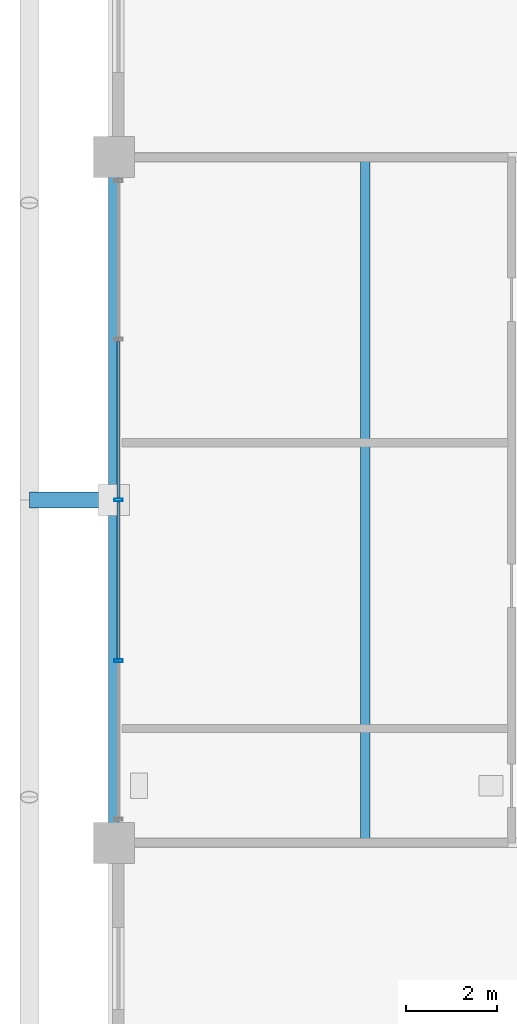
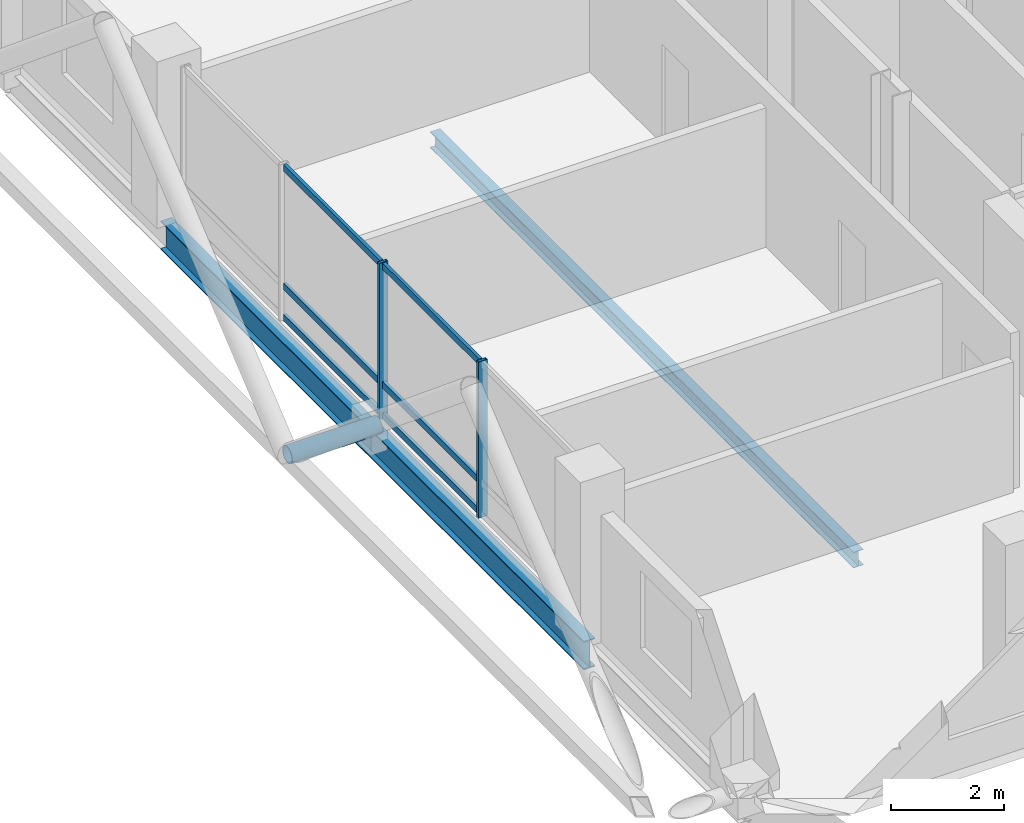
# One storey, part 8 of 24: 9 members, 2 beams, 1 element without a shape of its own.
"""IFC4 building model written with IfcOpenShell, lengths in metres."""

import ifcopenshell
import ifcopenshell.guid

model = None  # the IFC model being written
_history = None  # IfcOwnerHistory: only IFC2X3 demands one
_inside = {}  # id of a spatial element -> (the spatial element, [elements in it])
_under = {}  # id of a project, library or spatial element -> (it, [spatial elements below it])
_declared = {}  # id of a project -> (the project, [libraries it declares])
_typed = {}  # id of a type object -> (the type object, [elements of that type])
_made_of = {}  # id of a material, layer set ... -> (it, [elements and type objects made of it])


def new_model(schema):
    """Start an empty IFC model of exactly this schema.

    Asked for "IFC4X3", IfcOpenShell would pick the latest addendum, in which some entities
    have other attributes; the version numbers below select the first issue.
    IFC2X3 requires an IfcOwnerHistory on every rooted entity: one is made here for all.
    """
    global model, _history
    if schema == "IFC4X3":
        model = ifcopenshell.file(schema_version=(4, 3, 0, 0))
    else:
        model = ifcopenshell.file(schema=schema)
    _inside.clear()
    _under.clear()
    _declared.clear()
    _typed.clear()
    _made_of.clear()
    _history = None
    if model.schema == "IFC2X3":
        org = make("IfcOrganization", Name="unknown")
        user = make(
            "IfcPersonAndOrganization",
            ThePerson=make("IfcPerson", FamilyName="unknown"),
            TheOrganization=org,
        )
        app = make(
            "IfcApplication",
            ApplicationDeveloper=org,
            Version="unknown",
            ApplicationFullName="unknown",
            ApplicationIdentifier="unknown",
        )
        _history = make(
            "IfcOwnerHistory",
            OwningUser=user,
            OwningApplication=app,
            ChangeAction="ADDED",
            CreationDate=0,
        )
    return model


def make(cls, **values):
    """One entity of the class cls with the attributes given. An attribute that is None is left unset."""
    return model.create_entity(
        cls, **{name: value for name, value in values.items() if value is not None}
    )


def rooted(cls, **values):
    """An entity with a GlobalId (a new one), such as an element, a storey or a relation."""
    return make(cls, GlobalId=ifcopenshell.guid.new(), OwnerHistory=_history, **values)


def si_unit(unit_type, name, prefix=None):
    """IfcSIUnit, for example si_unit("LENGTHUNIT", "METRE", prefix="MILLI")."""
    return make("IfcSIUnit", UnitType=unit_type, Prefix=prefix, Name=name)


def assignment(units):
    """IfcUnitAssignment: the units of a project."""
    return None if units is None else make("IfcUnitAssignment", Units=units)


def point(xyz):
    """IfcCartesianPoint."""
    return None if xyz is None else make("IfcCartesianPoint", Coordinates=xyz)


def direction(xyz):
    """IfcDirection."""
    return None if xyz is None else make("IfcDirection", DirectionRatios=xyz)


def frame(location, z_axis=None, x_axis=None):
    """IfcAxis2Placement3D, a coordinate frame: its origin and axes. An axis left out is left unset."""
    return make(
        "IfcAxis2Placement3D",
        Location=point(location),
        Axis=direction(z_axis),
        RefDirection=direction(x_axis),
    )


def frame_2d(location, x_axis=None):
    """IfcAxis2Placement2D, a coordinate frame in the plane: its origin and x axis."""
    return make(
        "IfcAxis2Placement2D", Location=point(location), RefDirection=direction(x_axis)
    )


def origin():
    """The frame at (0, 0, 0) with its axes left unset."""
    return frame((0.0, 0.0, 0.0))


def origin_2d():
    """The frame at (0, 0) in the plane with its x axis left unset."""
    return frame_2d((0.0, 0.0))


def place(relative_to, where):
    """IfcLocalPlacement: puts the frame where relative to a parent placement (None: the world)."""
    return make(
        "IfcLocalPlacement", PlacementRelTo=relative_to, RelativePlacement=where
    )


def context(
    kind, dimensions, precision=None, world=None, true_north=None, identifier=None
):
    """IfcGeometricRepresentationContext, for example the 3D "Model" context."""
    return make(
        "IfcGeometricRepresentationContext",
        ContextIdentifier=identifier,
        ContextType=kind,
        CoordinateSpaceDimension=dimensions,
        Precision=precision,
        WorldCoordinateSystem=world,
        TrueNorth=true_north,
    )


def subcontext(parent, identifier, kind, view, scale=None):
    """IfcGeometricRepresentationSubContext, for example "Body" below "Model"."""
    return make(
        "IfcGeometricRepresentationSubContext",
        ContextIdentifier=identifier,
        ContextType=kind,
        ParentContext=parent,
        TargetScale=scale,
        TargetView=view,
    )


def project(units=None, contexts=None):
    """IfcProject with its units and contexts."""
    return rooted(
        "IfcProject",
        Name="project",
        RepresentationContexts=contexts,
        UnitsInContext=assignment(units),
    )


def spatial(cls, under=None, at=None, **own):
    """A site, building, storey or space (cls), placed at a placement, below another one or the project."""
    s = rooted(cls, ObjectPlacement=at, **own)
    if under is not None:
        _under.setdefault(under.id(), (under, []))[1].append(s)
    return s


def profile(cls, at=None, kind="AREA", **sizes):
    """A parametric profile (cls). Its sizes go by their IFC names, for example OverallWidth=200.0."""
    return make(cls, ProfileType=kind, Position=at, **sizes)


def hollow_rectangle(**sizes):
    """IfcRectangleHollowProfileDef."""
    return profile("IfcRectangleHollowProfileDef", **sizes)


def hollow_circle(**sizes):
    """IfcCircleHollowProfileDef."""
    return profile("IfcCircleHollowProfileDef", **sizes)


def i_section(**sizes):
    """IfcIShapeProfileDef."""
    return profile("IfcIShapeProfileDef", **sizes)


def extrude(swept, where, along, depth):
    """IfcExtrudedAreaSolid: the profile swept, set in the frame where, extruded along a direction by depth."""
    return make(
        "IfcExtrudedAreaSolid",
        SweptArea=swept,
        Position=where,
        ExtrudedDirection=direction(along),
        Depth=depth,
    )


def shape(context_of_items, identifier, shape_type, items):
    """IfcShapeRepresentation: the items that make up one representation, for example the "Body"."""
    return make(
        "IfcShapeRepresentation",
        ContextOfItems=context_of_items,
        RepresentationIdentifier=identifier,
        RepresentationType=shape_type,
        Items=items,
    )


def material(Name=None, Category=None):
    """IfcMaterial."""
    return make("IfcMaterial", Name=Name, Category=Category)


def layer(
    of_material, thickness, ventilated=None, Name=None, Category=None, Priority=None
):
    """IfcMaterialLayer: one layer of a wall or slab, of a material (None: an air gap)."""
    return make(
        "IfcMaterialLayer",
        Material=of_material,
        LayerThickness=thickness,
        IsVentilated=ventilated,
        Name=Name,
        Category=Category,
        Priority=Priority,
    )


def layer_set(layers, Name=None):
    """IfcMaterialLayerSet."""
    return make("IfcMaterialLayerSet", MaterialLayers=layers, LayerSetName=Name)


def material_profile(
    of_material, cross_section, Name=None, Category=None, Priority=None
):
    """IfcMaterialProfile: a cross section and its material."""
    return make(
        "IfcMaterialProfile",
        Name=Name,
        Material=of_material,
        Profile=cross_section,
        Priority=Priority,
        Category=Category,
    )


def profile_set(profiles, Name=None, composite=None):
    """IfcMaterialProfileSet."""
    return make(
        "IfcMaterialProfileSet",
        Name=Name,
        MaterialProfiles=profiles,
        CompositeProfile=composite,
    )


def made_of(thing, what):
    """Note that an element or type object is made of a material, layer set ...; save() writes the relation."""
    if what is not None:
        _made_of.setdefault(what.id(), (what, []))[1].append(thing)
    return thing


def type_object(cls, material=None, **own):
    """A type object (cls), such as IfcWallType, which elements share."""
    return made_of(rooted(cls, **own), material)


def element(
    cls,
    number,
    at=None,
    inside=None,
    cuts=None,
    type_object=None,
    material=None,
    context=None,
    identifier="Body",
    shape_type=None,
    held_by="IfcProductDefinitionShape",
    body=None,
    shapes=None,
    **own,
):
    """One element of the class cls, such as IfcWall. Its Tag is "e" and its number.

    at: its placement. inside: the storey or other place that contains it. cuts: it is an
    opening in that element (IfcRelVoidsElement). A single representation is given by context,
    identifier, shape_type and body (its items); several are given by shapes. held_by: the class
    of the entity that holds the representations. save() writes the other relations.
    """
    e = rooted(cls, Tag="e%d" % number, ObjectPlacement=at, **own)
    if body is not None:
        shapes = [shape(context, identifier, shape_type, body)]
    if shapes is not None:
        e.Representation = make(held_by, Representations=shapes)
    if inside is not None:
        _inside.setdefault(inside.id(), (inside, []))[1].append(e)
    if cuts is not None:
        rooted(
            "IfcRelVoidsElement", RelatingBuildingElement=cuts, RelatedOpeningElement=e
        )
    if type_object is not None:
        _typed.setdefault(type_object.id(), (type_object, []))[1].append(e)
    return made_of(e, material)


def aggregate(whole, parts):
    """IfcRelAggregates: a whole, such as a stair, and the parts it consists of."""
    return rooted("IfcRelAggregates", RelatingObject=whole, RelatedObjects=parts)


def save(model, path):
    """Write the relations noted so far, then the file.

    IfcRelAggregates (storeys below a building ...), IfcRelContainedInSpatialStructure (elements
    in a storey), IfcRelDefinesByType, IfcRelAssociatesMaterial and IfcRelDeclares: one each for
    every whole, place, type object, material and project.
    """
    for whole, parts in _under.values():
        aggregate(whole, parts)
    for where, things in _inside.values():
        rooted(
            "IfcRelContainedInSpatialStructure",
            RelatedElements=things,
            RelatingStructure=where,
        )
    for kind, things in _typed.values():
        rooted("IfcRelDefinesByType", RelatedObjects=things, RelatingType=kind)
    for what, things in _made_of.values():
        rooted("IfcRelAssociatesMaterial", RelatedObjects=things, RelatingMaterial=what)
    for by, libraries in _declared.values():
        rooted("IfcRelDeclares", RelatingContext=by, RelatedDefinitions=libraries)
    model.write(path)


model = new_model("IFC4")

# Units and contexts
model_context = context("Model", 3, precision=1e-05, world=origin(), true_north=direction((0.0, 1.0)))
body_context = subcontext(model_context, "Body", "Model", "MODEL_VIEW")
ifc_project = project(units=[si_unit("LENGTHUNIT", "METRE"), si_unit("AREAUNIT", "SQUARE_METRE"), si_unit("VOLUMEUNIT", "CUBIC_METRE"), si_unit("PLANEANGLEUNIT", "RADIAN"), si_unit("MASSUNIT", "GRAM", prefix="KILO")], contexts=[model_context])

# Site, building, storey
site_placement = place(None, origin())
site = spatial("IfcSite", under=ifc_project, at=site_placement, CompositionType="ELEMENT")
building_placement = place(site_placement, origin())
building = spatial("IfcBuilding", under=site, at=building_placement, Name="Barlavira Tower and Art Museum", CompositionType="ELEMENT")
storey_placement = place(building_placement, frame((0.0, 0.0, 283.5)))
storey = spatial("IfcBuildingStorey", under=building, at=storey_placement, Name="L74", CompositionType="ELEMENT", Elevation=283.5)

# Curtain wall, members
ifc_material_1 = material(Name="Low-iron coastal laminated glass", Category="glass")
ifc_layer = layer(ifc_material_1, 0.2099609375, Name="Low-iron coastal laminated glass")
ifc_layer_set = layer_set([ifc_layer], Name="Low-iron coastal laminated glass")
curtain_wall_type = type_object("IfcCurtainWallType", Name="Pale-Metal Unitised Curtain Wall Zone 4", PredefinedType="NOTDEFINED", material=ifc_layer_set)
curtain_wall_placement = place(storey_placement, origin())
curtain_wall = element("IfcCurtainWall", 1, at=curtain_wall_placement, inside=storey, type_object=curtain_wall_type, Name="L74 Curtain Wall CW4-L74-W-B3", PredefinedType="NOTDEFINED")
ifc_material_2 = material(Name="Pale anodised aluminium", Category="aluminium")
ifc_material_profile_1 = material_profile(ifc_material_2, hollow_rectangle(XDim=0.06494140625, YDim=0.179931640625, WallThickness=0.00390625, at=origin_2d()), Name="ALU-MULL 65x180x4")
ifc_profile_set_1 = profile_set([ifc_material_profile_1], Name="Pale anodised aluminium")
member_type_1 = type_object("IfcMemberType", Name="Curtain Wall Pale-Metal Mullion 65x180", PredefinedType="MULLION", material=ifc_profile_set_1)
member_1_placement = place(storey_placement, frame((-16.89990234375, 0.0, 0.0), z_axis=(0.0, 0.0, 1.0), x_axis=(0.0, -1.0, 0.0)))
member_1 = element("IfcMember", 2, at=member_1_placement, type_object=member_type_1, Name="CW4-L74-W-B3 Mullion 2", PredefinedType="MULLION", context=body_context, shape_type="SweptSolid", body=[
    extrude(hollow_rectangle(XDim=0.06494140625, YDim=0.179931640625, WallThickness=0.00390625, at=origin_2d()), origin(), (0.0, 0.0, 1.0), 3.3798828125),
])
member_2_placement = place(storey_placement, frame((-16.89990234375, -3.514892578125, 0.0), z_axis=(0.0, 0.0, 1.0), x_axis=(0.0, -1.0, 0.0)))
member_2 = element("IfcMember", 3, at=member_2_placement, type_object=member_type_1, Name="CW4-L74-W-B3 Mullion 3", PredefinedType="MULLION", context=body_context, shape_type="SweptSolid", body=[
    extrude(hollow_rectangle(XDim=0.06494140625, YDim=0.179931640625, WallThickness=0.00390625, at=origin_2d()), origin(), (0.0, 0.0, 1.0), 3.3798828125),
])
ifc_material_profile_2 = material_profile(ifc_material_2, hollow_rectangle(XDim=0.06494140625, YDim=0.139892578125, WallThickness=0.00390625, at=origin_2d()), Name="ALU-TRAN 65x140x4")
ifc_profile_set_2 = profile_set([ifc_material_profile_2], Name="Pale anodised aluminium")
member_type_2 = type_object("IfcMemberType", Name="Curtain Wall Pale-Metal Transom 65x140", PredefinedType="USERDEFINED", material=ifc_profile_set_2)
member_3_placement = place(storey_placement, frame((-16.89990234375, 3.469970703125, 0.070068359375), z_axis=(0.0, -1.0, 0.0), x_axis=(1.0, 0.0, 0.0)))
member_3 = element("IfcMember", 4, at=member_3_placement, type_object=member_type_2, Name="CW4-L74-W-B3 Transom 1.1", ObjectType="TRANSOM", PredefinedType="USERDEFINED", context=body_context, shape_type="SweptSolid", body=[
    extrude(hollow_rectangle(XDim=0.06494140625, YDim=0.139892578125, WallThickness=0.00390625, at=origin_2d()), origin(), (0.0, 0.0, 1.0), 3.425048828125),
])
member_4_placement = place(storey_placement, frame((-16.89990234375, 3.469970703125, 0.743896484375), z_axis=(0.0, -1.0, 0.0), x_axis=(1.0, 0.0, 0.0)))
member_4 = element("IfcMember", 5, at=member_4_placement, type_object=member_type_2, Name="CW4-L74-W-B3 Transom 1.2", ObjectType="TRANSOM", PredefinedType="USERDEFINED", context=body_context, shape_type="SweptSolid", body=[
    extrude(hollow_rectangle(XDim=0.06494140625, YDim=0.139892578125, WallThickness=0.00390625, at=origin_2d()), origin(), (0.0, 0.0, 1.0), 3.425048828125),
])
member_5_placement = place(storey_placement, frame((-16.89990234375, 3.469970703125, 3.31005859375), z_axis=(0.0, -1.0, 0.0), x_axis=(1.0, 0.0, 0.0)))
member_5 = element("IfcMember", 6, at=member_5_placement, type_object=member_type_2, Name="CW4-L74-W-B3 Transom 1.3", ObjectType="TRANSOM", PredefinedType="USERDEFINED", context=body_context, shape_type="SweptSolid", body=[
    extrude(hollow_rectangle(XDim=0.06494140625, YDim=0.139892578125, WallThickness=0.00390625, at=origin_2d()), origin(), (0.0, 0.0, 1.0), 3.425048828125),
])
member_6_placement = place(storey_placement, frame((-16.89990234375, -0.044921875, 0.070068359375), z_axis=(0.0, -1.0, 0.0), x_axis=(1.0, 0.0, 0.0)))
member_6 = element("IfcMember", 7, at=member_6_placement, type_object=member_type_2, Name="CW4-L74-W-B3 Transom 2.1", ObjectType="TRANSOM", PredefinedType="USERDEFINED", context=body_context, shape_type="SweptSolid", body=[
    extrude(hollow_rectangle(XDim=0.06494140625, YDim=0.139892578125, WallThickness=0.00390625, at=origin_2d()), origin(), (0.0, 0.0, 1.0), 3.425048828125),
])
member_7_placement = place(storey_placement, frame((-16.89990234375, -0.044921875, 0.743896484375), z_axis=(0.0, -1.0, 0.0), x_axis=(1.0, 0.0, 0.0)))
member_7 = element("IfcMember", 8, at=member_7_placement, type_object=member_type_2, Name="CW4-L74-W-B3 Transom 2.2", ObjectType="TRANSOM", PredefinedType="USERDEFINED", context=body_context, shape_type="SweptSolid", body=[
    extrude(hollow_rectangle(XDim=0.06494140625, YDim=0.139892578125, WallThickness=0.00390625, at=origin_2d()), origin(), (0.0, 0.0, 1.0), 3.425048828125),
])
member_8_placement = place(storey_placement, frame((-16.89990234375, -0.044921875, 3.31005859375), z_axis=(0.0, -1.0, 0.0), x_axis=(1.0, 0.0, 0.0)))
member_8 = element("IfcMember", 9, at=member_8_placement, type_object=member_type_2, Name="CW4-L74-W-B3 Transom 2.3", ObjectType="TRANSOM", PredefinedType="USERDEFINED", context=body_context, shape_type="SweptSolid", body=[
    extrude(hollow_rectangle(XDim=0.06494140625, YDim=0.139892578125, WallThickness=0.00390625, at=origin_2d()), origin(), (0.0, 0.0, 1.0), 3.425048828125),
])
aggregate(curtain_wall, [member_1, member_2, member_3, member_4, member_5, member_6, member_7, member_8])

# Member
ifc_material_3 = material(Name="Steel S355", Category="steel")
ifc_material_profile_3 = material_profile(ifc_material_3, hollow_circle(Radius=0.177734375, WallThickness=0.01611328125, at=origin_2d()), Name="CHS 355.6x16.0")
ifc_profile_set_3 = profile_set([ifc_material_profile_3], Name="Steel S355")
member_type_3 = type_object("IfcMemberType", Name="Pale-Metal Exoskeleton Tie Strut CHS 356x16 Steel S355", PredefinedType="STRUT", material=ifc_profile_set_3)
member_9_placement = place(storey_placement, frame((-18.85009765625, 0.0, -0.1201171875), z_axis=(1.0, 0.0, 0.0), x_axis=(0.0, 1.0, 0.0)))
element("IfcMember", 10, at=member_9_placement, inside=storey, type_object=member_type_3, Name="L74 Exoskeleton Tie Strut W2", PredefinedType="STRUT", context=body_context, shape_type="SweptSolid", body=[
    extrude(hollow_circle(Radius=0.177734375, WallThickness=0.01611328125, at=origin_2d()), origin(), (0.0, 0.0, 1.0), 1.85009765625),
])

# Beams
ifc_material_profile_4 = material_profile(ifc_material_3, i_section(OverallWidth=0.22998046875, OverallDepth=0.616943359375, WebThickness=0.01318359375, FlangeThickness=0.022216796875, at=origin_2d()), Name="W610x140.0")
ifc_profile_set_4 = profile_set([ifc_material_profile_4], Name="Steel S355")
beam_type_1 = type_object("IfcBeamType", Name="Upper Shaft Spandrel Edge Beam W610x140 Steel S355", PredefinedType="SPANDREL", material=ifc_profile_set_4)
beam_1_placement = place(storey_placement, frame((-17.0, -7.5, -0.528564453125), z_axis=(0.0, 1.0, 0.0), x_axis=(-1.0, 0.0, 0.0)))
element("IfcBeam", 11, at=beam_1_placement, inside=storey, type_object=beam_type_1, Name="L74 Spandrel 14", PredefinedType="SPANDREL", context=body_context, shape_type="SweptSolid", body=[
    extrude(i_section(OverallWidth=0.22998046875, OverallDepth=0.616943359375, WebThickness=0.01318359375, FlangeThickness=0.022216796875, at=origin_2d()), origin(), (0.0, 0.0, 1.0), 15.0),
])
ifc_material_profile_5 = material_profile(ifc_material_3, i_section(OverallWidth=0.202880859375, OverallDepth=0.346923828125, WebThickness=0.0078125, FlangeThickness=0.013427734375, at=origin_2d()), Name="W360x64.0")
ifc_profile_set_5 = profile_set([ifc_material_profile_5], Name="Steel S355")
beam_type_2 = type_object("IfcBeamType", Name="Zone 4 Composite Floor Joist W360x64 Steel S355", PredefinedType="JOIST", material=ifc_profile_set_5)
beam_2_placement = place(storey_placement, frame((-11.5, -7.5, -0.3935546875), z_axis=(0.0, 1.0, 0.0), x_axis=(-1.0, 0.0, 0.0)))
element("IfcBeam", 12, at=beam_2_placement, inside=storey, type_object=beam_type_2, Name="L74 Joist W1", PredefinedType="JOIST", context=body_context, shape_type="SweptSolid", body=[
    extrude(i_section(OverallWidth=0.202880859375, OverallDepth=0.346923828125, WebThickness=0.0078125, FlangeThickness=0.013427734375, at=origin_2d()), origin(), (0.0, 0.0, 1.0), 15.0),
])

save(model, "model.ifc")
